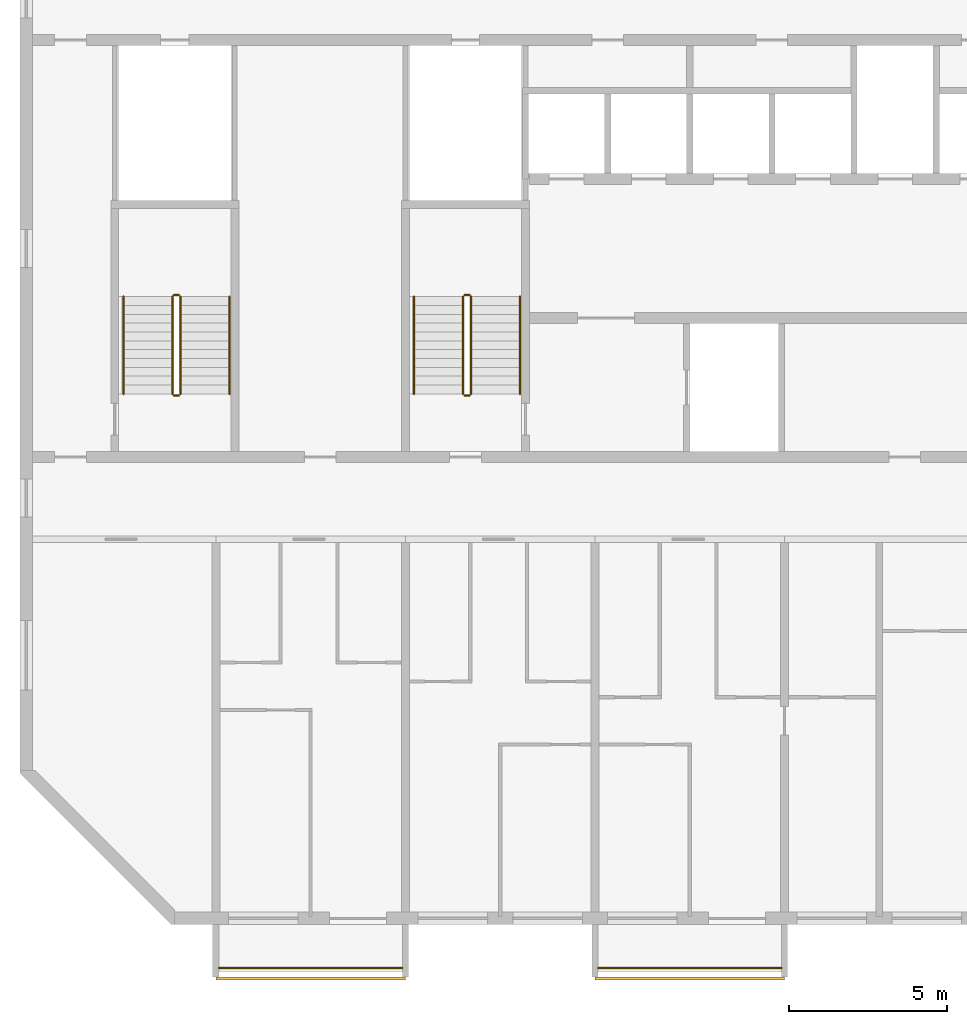
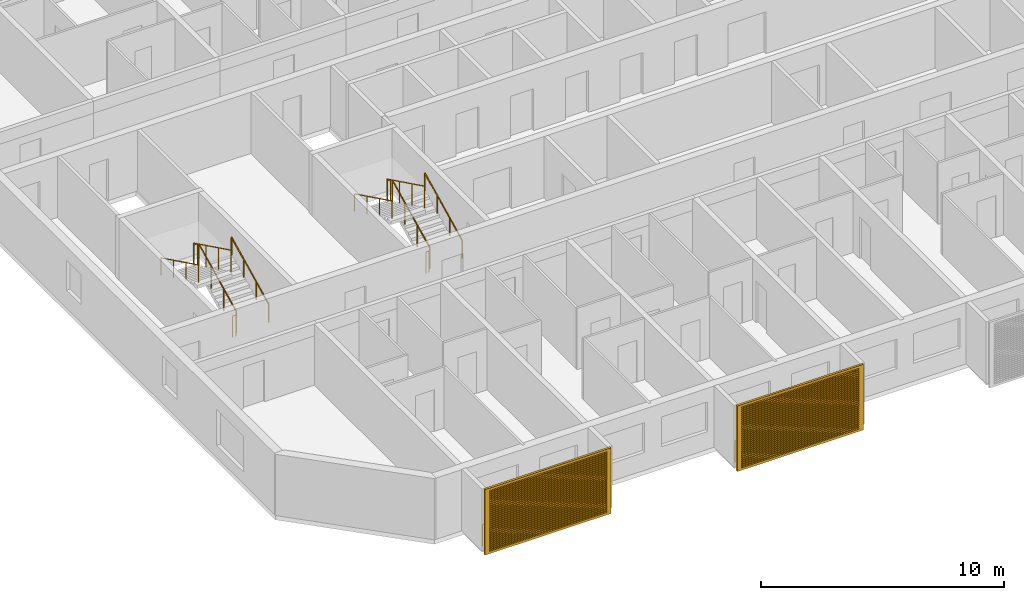
# One storey, part 12 of 26: 14 railings, 2 shading devices.
"""IFC4 building model written with IfcOpenShell, lengths in metres."""

from ifc_helpers import new_model, si_unit, direction, frame, origin, origin_2d, place, context, subcontext, project, spatial, polyline, circle, outline, extrude, source, transform, mapped, material, material_profile, profile_set, type_object, element, save


model = new_model("IFC4")

# Units and contexts
model_context = context("Model", 3, precision=1e-05, world=origin(), true_north=direction((0.0, 1.0)))
body_context = subcontext(model_context, "Body", "Model", "MODEL_VIEW")
ifc_project = project(units=[si_unit("LENGTHUNIT", "METRE"), si_unit("AREAUNIT", "SQUARE_METRE"), si_unit("VOLUMEUNIT", "CUBIC_METRE"), si_unit("PLANEANGLEUNIT", "RADIAN"), si_unit("MASSUNIT", "GRAM", prefix="KILO")], contexts=[model_context])

# Site, building, storey
site_placement = place(None, origin())
site = spatial("IfcSite", under=ifc_project, at=site_placement, CompositionType="ELEMENT")
building_placement = place(site_placement, origin())
building = spatial("IfcBuilding", under=site, at=building_placement, Name="Poui Terraces", CompositionType="ELEMENT")
storey_placement = place(building_placement, frame((0.0, 0.0, 221.39990234375)))
storey = spatial("IfcBuildingStorey", under=building, at=storey_placement, Name="L61", CompositionType="ELEMENT", Elevation=221.39990234375)

# Railings
ifc_material_1 = material(Name="Painted steel fretwork", Category="steel")
railing_type_1 = type_object("IfcRailingType", Name="BALCONY GUARD 1100", PredefinedType="GUARDRAIL", material=ifc_material_1)
for number, where, name in (
    (1, (24.10009765625, -1.570068359375, 0.0), "BALCONY GUARD"),
    (2, (36.10009765625, -1.570068359375, 0.0), "BALCONY GUARD"),
):
    element("IfcRailing", number, at=place(storey_placement, frame(where)), inside=storey, type_object=railing_type_1, Name=name, PredefinedType="GUARDRAIL", context=body_context, shape_type="SweptSolid", body=[
        extrude(circle(Radius=0.02392578125, at=origin_2d()), frame((0.0, 0.0, 1.076171875), z_axis=(1.0, 0.0, 0.0), x_axis=(0.0, 1.0, 0.0)), (0.0, 0.0, 1.0), 5.7998046875),
        extrude(circle(Radius=0.02099609375, at=origin_2d()), origin(), (0.0, 0.0, 1.0), 1.052001953125),
        extrude(circle(Radius=0.02099609375, at=origin_2d()), frame((0.966552734375, 0.0, 0.0)), (0.0, 0.0, 1.0), 1.052001953125),
        extrude(circle(Radius=0.02099609375, at=origin_2d()), frame((1.933349609375, 0.0, 0.0)), (0.0, 0.0, 1.0), 1.052001953125),
        extrude(circle(Radius=0.02099609375, at=origin_2d()), frame((2.89990234375, 0.0, 0.0)), (0.0, 0.0, 1.0), 1.052001953125),
        extrude(circle(Radius=0.02099609375, at=origin_2d()), frame((3.866455078125, 0.0, 0.0)), (0.0, 0.0, 1.0), 1.052001953125),
        extrude(circle(Radius=0.02099609375, at=origin_2d()), frame((4.833251953125, 0.0, 0.0)), (0.0, 0.0, 1.0), 1.052001953125),
        extrude(circle(Radius=0.02099609375, at=origin_2d()), frame((5.7998046875, 0.0, 0.0)), (0.0, 0.0, 1.0), 1.052001953125),
    ])
ifc_material_2 = material(Name="Galvanised steel balustrade", Category="steel")
railing_type_2 = type_object("IfcRailingType", Name="STAIR GUARD 1100", PredefinedType="GUARDRAIL", material=ifc_material_2)
railing_1_placement = place(storey_placement, frame((32.074951171875, 16.60009765625, 0.1376953125)))
element("IfcRailing", 3, at=railing_1_placement, inside=storey, type_object=railing_type_2, Name="L61 ST-CW stair guard 1", PredefinedType="GUARDRAIL", context=body_context, shape_type="SweptSolid", body=[
    extrude(circle(Radius=0.02392578125, at=origin_2d()), frame((0.0, 0.0, 1.076171875), z_axis=(0.0, 0.897606190399, 0.440798283751), x_axis=(-1.0, 0.0, 0.0)), (0.0, 0.0, 1.0), 3.43115234375),
    extrude(circle(Radius=0.02099609375, at=origin_2d()), origin(), (0.0, 0.0, 1.0), 1.052001953125),
    extrude(circle(Radius=0.02099609375, at=origin_2d()), frame((0.0, 1.026611328125, 0.504150390625)), (0.0, 0.0, 1.0), 1.052001953125),
    extrude(circle(Radius=0.02099609375, at=origin_2d()), frame((0.0, 2.05322265625, 1.00830078125)), (0.0, 0.0, 1.0), 1.052001953125),
    extrude(circle(Radius=0.02099609375, at=origin_2d()), frame((0.0, 3.079833984375, 1.512451171875)), (0.0, 0.0, 1.0), 1.052001953125),
])
railing_2_placement = place(storey_placement, frame((32.02490234375, 19.72998046875, 1.650146484375)))
element("IfcRailing", 4, at=railing_2_placement, inside=storey, type_object=railing_type_2, Name="L61 ST-CW stair guard 2", PredefinedType="GUARDRAIL", context=body_context, shape_type="SweptSolid", body=[
    extrude(circle(Radius=0.02392578125, at=origin_2d()), frame((0.0, 0.0, 1.076171875), z_axis=(-1.0, 0.0, 0.0), x_axis=(0.0, -1.0, 0.0)), (0.0, 0.0, 1.0), 0.14990234375),
    extrude(circle(Radius=0.02099609375, at=origin_2d()), origin(), (0.0, 0.0, 1.0), 1.052001953125),
    extrude(circle(Radius=0.02099609375, at=origin_2d()), frame((-0.14990234375, 0.0, 0.0)), (0.0, 0.0, 1.0), 1.052001953125),
])
railing_3_placement = place(storey_placement, frame((31.824951171875, 19.679931640625, 1.78759765625)))
element("IfcRailing", 5, at=railing_3_placement, inside=storey, type_object=railing_type_2, Name="L61 ST-CW stair guard 3", PredefinedType="GUARDRAIL", context=body_context, shape_type="SweptSolid", body=[
    extrude(circle(Radius=0.02392578125, at=origin_2d()), frame((0.0, 0.0, 1.076171875), z_axis=(0.0, -0.897606190399, 0.440798283751), x_axis=(1.0, 0.0, 0.0)), (0.0, 0.0, 1.0), 3.43115234375),
    extrude(circle(Radius=0.02099609375, at=origin_2d()), origin(), (0.0, 0.0, 1.0), 1.052001953125),
    extrude(circle(Radius=0.02099609375, at=origin_2d()), frame((0.0, -1.026611328125, 0.504150390625)), (0.0, 0.0, 1.0), 1.052001953125),
    extrude(circle(Radius=0.02099609375, at=origin_2d()), frame((0.0, -2.05322265625, 1.00830078125)), (0.0, 0.0, 1.0), 1.052001953125),
    extrude(circle(Radius=0.02099609375, at=origin_2d()), frame((0.0, -3.079833984375, 1.512451171875)), (0.0, 0.0, 1.0), 1.052001953125),
])
railing_4_placement = place(storey_placement, frame((32.02490234375, 16.550048828125, 0.0)))
element("IfcRailing", 6, at=railing_4_placement, inside=storey, type_object=railing_type_2, Name="L61 ST-CW stair guard 4", PredefinedType="GUARDRAIL", context=body_context, shape_type="SweptSolid", body=[
    extrude(circle(Radius=0.02392578125, at=origin_2d()), frame((0.0, 0.0, 1.076171875), z_axis=(-1.0, 0.0, 0.0), x_axis=(0.0, -1.0, 0.0)), (0.0, 0.0, 1.0), 0.14990234375),
    extrude(circle(Radius=0.02099609375, at=origin_2d()), origin(), (0.0, 0.0, 1.0), 1.052001953125),
    extrude(circle(Radius=0.02099609375, at=origin_2d()), frame((-0.14990234375, 0.0, 0.0)), (0.0, 0.0, 1.0), 1.052001953125),
])
railing_5_placement = place(storey_placement, frame((22.875, 16.60009765625, 0.1376953125)))
element("IfcRailing", 7, at=railing_5_placement, inside=storey, type_object=railing_type_2, Name="L61 ST-W stair guard 1", PredefinedType="GUARDRAIL", context=body_context, shape_type="SweptSolid", body=[
    extrude(circle(Radius=0.02392578125, at=origin_2d()), frame((0.0, 0.0, 1.076171875), z_axis=(0.0, 0.897606190399, 0.440798283751), x_axis=(-1.0, 0.0, 0.0)), (0.0, 0.0, 1.0), 3.43115234375),
    extrude(circle(Radius=0.02099609375, at=origin_2d()), origin(), (0.0, 0.0, 1.0), 1.052001953125),
    extrude(circle(Radius=0.02099609375, at=origin_2d()), frame((0.0, 1.026611328125, 0.504150390625)), (0.0, 0.0, 1.0), 1.052001953125),
    extrude(circle(Radius=0.02099609375, at=origin_2d()), frame((0.0, 2.05322265625, 1.00830078125)), (0.0, 0.0, 1.0), 1.052001953125),
    extrude(circle(Radius=0.02099609375, at=origin_2d()), frame((0.0, 3.079833984375, 1.512451171875)), (0.0, 0.0, 1.0), 1.052001953125),
])
railing_6_placement = place(storey_placement, frame((22.824951171875, 19.72998046875, 1.650146484375)))
element("IfcRailing", 8, at=railing_6_placement, inside=storey, type_object=railing_type_2, Name="L61 ST-W stair guard 2", PredefinedType="GUARDRAIL", context=body_context, shape_type="SweptSolid", body=[
    extrude(circle(Radius=0.02392578125, at=origin_2d()), frame((0.0, 0.0, 1.076171875), z_axis=(-1.0, 0.0, 0.0), x_axis=(0.0, -1.0, 0.0)), (0.0, 0.0, 1.0), 0.14990234375),
    extrude(circle(Radius=0.02099609375, at=origin_2d()), origin(), (0.0, 0.0, 1.0), 1.052001953125),
    extrude(circle(Radius=0.02099609375, at=origin_2d()), frame((-0.14990234375, 0.0, 0.0)), (0.0, 0.0, 1.0), 1.052001953125),
])
railing_7_placement = place(storey_placement, frame((22.625, 19.679931640625, 1.78759765625)))
element("IfcRailing", 9, at=railing_7_placement, inside=storey, type_object=railing_type_2, Name="L61 ST-W stair guard 3", PredefinedType="GUARDRAIL", context=body_context, shape_type="SweptSolid", body=[
    extrude(circle(Radius=0.02392578125, at=origin_2d()), frame((0.0, 0.0, 1.076171875), z_axis=(0.0, -0.897606190399, 0.440798283751), x_axis=(1.0, 0.0, 0.0)), (0.0, 0.0, 1.0), 3.43115234375),
    extrude(circle(Radius=0.02099609375, at=origin_2d()), origin(), (0.0, 0.0, 1.0), 1.052001953125),
    extrude(circle(Radius=0.02099609375, at=origin_2d()), frame((0.0, -1.026611328125, 0.504150390625)), (0.0, 0.0, 1.0), 1.052001953125),
    extrude(circle(Radius=0.02099609375, at=origin_2d()), frame((0.0, -2.05322265625, 1.00830078125)), (0.0, 0.0, 1.0), 1.052001953125),
    extrude(circle(Radius=0.02099609375, at=origin_2d()), frame((0.0, -3.079833984375, 1.512451171875)), (0.0, 0.0, 1.0), 1.052001953125),
])
railing_8_placement = place(storey_placement, frame((22.824951171875, 16.550048828125, 0.0)))
element("IfcRailing", 10, at=railing_8_placement, inside=storey, type_object=railing_type_2, Name="L61 ST-W stair guard 4", PredefinedType="GUARDRAIL", context=body_context, shape_type="SweptSolid", body=[
    extrude(circle(Radius=0.02392578125, at=origin_2d()), frame((0.0, 0.0, 1.076171875), z_axis=(-1.0, 0.0, 0.0), x_axis=(0.0, -1.0, 0.0)), (0.0, 0.0, 1.0), 0.14990234375),
    extrude(circle(Radius=0.02099609375, at=origin_2d()), origin(), (0.0, 0.0, 1.0), 1.052001953125),
    extrude(circle(Radius=0.02099609375, at=origin_2d()), frame((-0.14990234375, 0.0, 0.0)), (0.0, 0.0, 1.0), 1.052001953125),
])
ifc_material_3 = material(Name="Stainless steel handrail", Category="steel")
railing_type_3 = type_object("IfcRailingType", Name="STAIR HANDRAIL 900", PredefinedType="HANDRAIL", material=ifc_material_3)
railing_9_placement = place(storey_placement, frame((33.625, 16.60009765625, 0.1376953125)))
element("IfcRailing", 11, at=railing_9_placement, inside=storey, type_object=railing_type_3, Name="L61 ST-CW stair handrail 1", PredefinedType="HANDRAIL", context=body_context, shape_type="SweptSolid", body=[
    extrude(circle(Radius=0.02392578125, at=origin_2d()), frame((0.0, 0.0, 0.8759765625), z_axis=(0.0, 0.897606190399, 0.440798283751), x_axis=(-1.0, 0.0, 0.0)), (0.0, 0.0, 1.0), 3.43115234375),
    extrude(circle(Radius=0.02099609375, at=origin_2d()), origin(), (0.0, 0.0, 1.0), 0.851806640625),
    extrude(circle(Radius=0.02099609375, at=origin_2d()), frame((0.0, 1.026611328125, 0.504150390625)), (0.0, 0.0, 1.0), 0.851806640625),
    extrude(circle(Radius=0.02099609375, at=origin_2d()), frame((0.0, 2.05322265625, 1.00830078125)), (0.0, 0.0, 1.0), 0.851806640625),
    extrude(circle(Radius=0.02099609375, at=origin_2d()), frame((0.0, 3.079833984375, 1.512451171875)), (0.0, 0.0, 1.0), 0.851806640625),
])
railing_10_placement = place(storey_placement, frame((30.27490234375, 19.679931640625, 1.78759765625)))
element("IfcRailing", 12, at=railing_10_placement, inside=storey, type_object=railing_type_3, Name="L61 ST-CW stair handrail 2", PredefinedType="HANDRAIL", context=body_context, shape_type="SweptSolid", body=[
    extrude(circle(Radius=0.02392578125, at=origin_2d()), frame((0.0, 0.0, 0.8759765625), z_axis=(0.0, -0.897606190399, 0.440798283751), x_axis=(1.0, 0.0, 0.0)), (0.0, 0.0, 1.0), 3.43115234375),
    extrude(circle(Radius=0.02099609375, at=origin_2d()), origin(), (0.0, 0.0, 1.0), 0.851806640625),
    extrude(circle(Radius=0.02099609375, at=origin_2d()), frame((0.0, -1.026611328125, 0.504150390625)), (0.0, 0.0, 1.0), 0.851806640625),
    extrude(circle(Radius=0.02099609375, at=origin_2d()), frame((0.0, -2.05322265625, 1.00830078125)), (0.0, 0.0, 1.0), 0.851806640625),
    extrude(circle(Radius=0.02099609375, at=origin_2d()), frame((0.0, -3.079833984375, 1.512451171875)), (0.0, 0.0, 1.0), 0.851806640625),
])
railing_11_placement = place(storey_placement, frame((24.425048828125, 16.60009765625, 0.1376953125)))
element("IfcRailing", 13, at=railing_11_placement, inside=storey, type_object=railing_type_3, Name="L61 ST-W stair handrail 1", PredefinedType="HANDRAIL", context=body_context, shape_type="SweptSolid", body=[
    extrude(circle(Radius=0.02392578125, at=origin_2d()), frame((0.0, 0.0, 0.8759765625), z_axis=(0.0, 0.897606190399, 0.440798283751), x_axis=(-1.0, 0.0, 0.0)), (0.0, 0.0, 1.0), 3.43115234375),
    extrude(circle(Radius=0.02099609375, at=origin_2d()), origin(), (0.0, 0.0, 1.0), 0.851806640625),
    extrude(circle(Radius=0.02099609375, at=origin_2d()), frame((0.0, 1.026611328125, 0.504150390625)), (0.0, 0.0, 1.0), 0.851806640625),
    extrude(circle(Radius=0.02099609375, at=origin_2d()), frame((0.0, 2.05322265625, 1.00830078125)), (0.0, 0.0, 1.0), 0.851806640625),
    extrude(circle(Radius=0.02099609375, at=origin_2d()), frame((0.0, 3.079833984375, 1.512451171875)), (0.0, 0.0, 1.0), 0.851806640625),
])
railing_12_placement = place(storey_placement, frame((21.074951171875, 19.679931640625, 1.78759765625)))
element("IfcRailing", 14, at=railing_12_placement, inside=storey, type_object=railing_type_3, Name="L61 ST-W stair handrail 2", PredefinedType="HANDRAIL", context=body_context, shape_type="SweptSolid", body=[
    extrude(circle(Radius=0.02392578125, at=origin_2d()), frame((0.0, 0.0, 0.8759765625), z_axis=(0.0, -0.897606190399, 0.440798283751), x_axis=(1.0, 0.0, 0.0)), (0.0, 0.0, 1.0), 3.43115234375),
    extrude(circle(Radius=0.02099609375, at=origin_2d()), origin(), (0.0, 0.0, 1.0), 0.851806640625),
    extrude(circle(Radius=0.02099609375, at=origin_2d()), frame((0.0, -1.026611328125, 0.504150390625)), (0.0, 0.0, 1.0), 0.851806640625),
    extrude(circle(Radius=0.02099609375, at=origin_2d()), frame((0.0, -2.05322265625, 1.00830078125)), (0.0, 0.0, 1.0), 0.851806640625),
    extrude(circle(Radius=0.02099609375, at=origin_2d()), frame((0.0, -3.079833984375, 1.512451171875)), (0.0, 0.0, 1.0), 0.851806640625),
])

# Shading devices
ifc_material_4 = material(Name="Aluminium louvre", Category="aluminium")
ifc_material_profile = material_profile(ifc_material_4, outline(polyline([(-3.0, -1.64990234375), (3.0, -1.64990234375), (3.0, 1.64990234375), (-3.0, 1.64990234375), (-3.0, -1.64990234375)]), holes=[polyline([(-2.800048828125, -1.530029296875), (2.800048828125, -1.530029296875), (2.800048828125, -1.469970703125), (-2.800048828125, -1.469970703125), (-2.800048828125, -1.530029296875)]), polyline([(-2.800048828125, -1.429931640625), (2.800048828125, -1.429931640625), (2.800048828125, -1.3701171875), (-2.800048828125, -1.3701171875), (-2.800048828125, -1.429931640625)]), polyline([(-2.800048828125, -1.330078125), (2.800048828125, -1.330078125), (2.800048828125, -1.27001953125), (-2.800048828125, -1.27001953125), (-2.800048828125, -1.330078125)]), polyline([(-2.800048828125, -1.22998046875), (2.800048828125, -1.22998046875), (2.800048828125, -1.169921875), (-2.800048828125, -1.169921875), (-2.800048828125, -1.22998046875)]), polyline([(-2.800048828125, -1.1298828125), (2.800048828125, -1.1298828125), (2.800048828125, -1.070068359375), (-2.800048828125, -1.070068359375), (-2.800048828125, -1.1298828125)]), polyline([(-2.800048828125, -1.030029296875), (2.800048828125, -1.030029296875), (2.800048828125, -0.969970703125), (-2.800048828125, -0.969970703125), (-2.800048828125, -1.030029296875)]), polyline([(-2.800048828125, -0.929931640625), (2.800048828125, -0.929931640625), (2.800048828125, -0.8701171875), (-2.800048828125, -0.8701171875), (-2.800048828125, -0.929931640625)]), polyline([(-2.800048828125, -0.830078125), (2.800048828125, -0.830078125), (2.800048828125, -0.77001953125), (-2.800048828125, -0.77001953125), (-2.800048828125, -0.830078125)]), polyline([(-2.800048828125, -0.72998046875), (2.800048828125, -0.72998046875), (2.800048828125, -0.669921875), (-2.800048828125, -0.669921875), (-2.800048828125, -0.72998046875)]), polyline([(-2.800048828125, -0.6298828125), (2.800048828125, -0.6298828125), (2.800048828125, -0.570068359375), (-2.800048828125, -0.570068359375), (-2.800048828125, -0.6298828125)]), polyline([(-2.800048828125, -0.530029296875), (2.800048828125, -0.530029296875), (2.800048828125, -0.469970703125), (-2.800048828125, -0.469970703125), (-2.800048828125, -0.530029296875)]), polyline([(-2.800048828125, -0.429931640625), (2.800048828125, -0.429931640625), (2.800048828125, -0.3701171875), (-2.800048828125, -0.3701171875), (-2.800048828125, -0.429931640625)]), polyline([(-2.800048828125, -0.330078125), (2.800048828125, -0.330078125), (2.800048828125, -0.27001953125), (-2.800048828125, -0.27001953125), (-2.800048828125, -0.330078125)]), polyline([(-2.800048828125, -0.22998046875), (2.800048828125, -0.22998046875), (2.800048828125, -0.169921875), (-2.800048828125, -0.169921875), (-2.800048828125, -0.22998046875)]), polyline([(-2.800048828125, -0.1298828125), (2.800048828125, -0.1298828125), (2.800048828125, -0.070068359375), (-2.800048828125, -0.070068359375), (-2.800048828125, -0.1298828125)]), polyline([(-2.800048828125, -0.030029296875), (2.800048828125, -0.030029296875), (2.800048828125, 0.030029296875), (-2.800048828125, 0.030029296875), (-2.800048828125, -0.030029296875)]), polyline([(-2.800048828125, 0.070068359375), (2.800048828125, 0.070068359375), (2.800048828125, 0.1298828125), (-2.800048828125, 0.1298828125), (-2.800048828125, 0.070068359375)]), polyline([(-2.800048828125, 0.169921875), (2.800048828125, 0.169921875), (2.800048828125, 0.22998046875), (-2.800048828125, 0.22998046875), (-2.800048828125, 0.169921875)]), polyline([(-2.800048828125, 0.27001953125), (2.800048828125, 0.27001953125), (2.800048828125, 0.330078125), (-2.800048828125, 0.330078125), (-2.800048828125, 0.27001953125)]), polyline([(-2.800048828125, 0.3701171875), (2.800048828125, 0.3701171875), (2.800048828125, 0.429931640625), (-2.800048828125, 0.429931640625), (-2.800048828125, 0.3701171875)]), polyline([(-2.800048828125, 0.469970703125), (2.800048828125, 0.469970703125), (2.800048828125, 0.530029296875), (-2.800048828125, 0.530029296875), (-2.800048828125, 0.469970703125)]), polyline([(-2.800048828125, 0.570068359375), (2.800048828125, 0.570068359375), (2.800048828125, 0.6298828125), (-2.800048828125, 0.6298828125), (-2.800048828125, 0.570068359375)]), polyline([(-2.800048828125, 0.669921875), (2.800048828125, 0.669921875), (2.800048828125, 0.72998046875), (-2.800048828125, 0.72998046875), (-2.800048828125, 0.669921875)]), polyline([(-2.800048828125, 0.77001953125), (2.800048828125, 0.77001953125), (2.800048828125, 0.830078125), (-2.800048828125, 0.830078125), (-2.800048828125, 0.77001953125)]), polyline([(-2.800048828125, 0.8701171875), (2.800048828125, 0.8701171875), (2.800048828125, 0.929931640625), (-2.800048828125, 0.929931640625), (-2.800048828125, 0.8701171875)]), polyline([(-2.800048828125, 0.969970703125), (2.800048828125, 0.969970703125), (2.800048828125, 1.030029296875), (-2.800048828125, 1.030029296875), (-2.800048828125, 0.969970703125)]), polyline([(-2.800048828125, 1.070068359375), (2.800048828125, 1.070068359375), (2.800048828125, 1.1298828125), (-2.800048828125, 1.1298828125), (-2.800048828125, 1.070068359375)]), polyline([(-2.800048828125, 1.169921875), (2.800048828125, 1.169921875), (2.800048828125, 1.22998046875), (-2.800048828125, 1.22998046875), (-2.800048828125, 1.169921875)]), polyline([(-2.800048828125, 1.27001953125), (2.800048828125, 1.27001953125), (2.800048828125, 1.330078125), (-2.800048828125, 1.330078125), (-2.800048828125, 1.27001953125)]), polyline([(-2.800048828125, 1.3701171875), (2.800048828125, 1.3701171875), (2.800048828125, 1.429931640625), (-2.800048828125, 1.429931640625), (-2.800048828125, 1.3701171875)]), polyline([(-2.800048828125, 1.469970703125), (2.800048828125, 1.469970703125), (2.800048828125, 1.530029296875), (-2.800048828125, 1.530029296875), (-2.800048828125, 1.469970703125)])]), Name="JALOUSIE LOUVRE SHUTTER 6000X3300")
ifc_profile_set = profile_set([ifc_material_profile], Name="Aluminium louvre")
shading_device_type = type_object("IfcShadingDeviceType", Name="JALOUSIE LOUVRE SHUTTER 6000X3300", PredefinedType="JALOUSIE", material=ifc_profile_set)
shared_shape = source(origin(), body_context, "Body", "SweptSolid", [
    extrude(outline(polyline([(-3.0, -1.64990234375), (3.0, -1.64990234375), (3.0, 1.64990234375), (-3.0, 1.64990234375), (-3.0, -1.64990234375)]), holes=[polyline([(-2.800048828125, -1.530029296875), (2.800048828125, -1.530029296875), (2.800048828125, -1.469970703125), (-2.800048828125, -1.469970703125), (-2.800048828125, -1.530029296875)]), polyline([(-2.800048828125, -1.429931640625), (2.800048828125, -1.429931640625), (2.800048828125, -1.3701171875), (-2.800048828125, -1.3701171875), (-2.800048828125, -1.429931640625)]), polyline([(-2.800048828125, -1.330078125), (2.800048828125, -1.330078125), (2.800048828125, -1.27001953125), (-2.800048828125, -1.27001953125), (-2.800048828125, -1.330078125)]), polyline([(-2.800048828125, -1.22998046875), (2.800048828125, -1.22998046875), (2.800048828125, -1.169921875), (-2.800048828125, -1.169921875), (-2.800048828125, -1.22998046875)]), polyline([(-2.800048828125, -1.1298828125), (2.800048828125, -1.1298828125), (2.800048828125, -1.070068359375), (-2.800048828125, -1.070068359375), (-2.800048828125, -1.1298828125)]), polyline([(-2.800048828125, -1.030029296875), (2.800048828125, -1.030029296875), (2.800048828125, -0.969970703125), (-2.800048828125, -0.969970703125), (-2.800048828125, -1.030029296875)]), polyline([(-2.800048828125, -0.929931640625), (2.800048828125, -0.929931640625), (2.800048828125, -0.8701171875), (-2.800048828125, -0.8701171875), (-2.800048828125, -0.929931640625)]), polyline([(-2.800048828125, -0.830078125), (2.800048828125, -0.830078125), (2.800048828125, -0.77001953125), (-2.800048828125, -0.77001953125), (-2.800048828125, -0.830078125)]), polyline([(-2.800048828125, -0.72998046875), (2.800048828125, -0.72998046875), (2.800048828125, -0.669921875), (-2.800048828125, -0.669921875), (-2.800048828125, -0.72998046875)]), polyline([(-2.800048828125, -0.6298828125), (2.800048828125, -0.6298828125), (2.800048828125, -0.570068359375), (-2.800048828125, -0.570068359375), (-2.800048828125, -0.6298828125)]), polyline([(-2.800048828125, -0.530029296875), (2.800048828125, -0.530029296875), (2.800048828125, -0.469970703125), (-2.800048828125, -0.469970703125), (-2.800048828125, -0.530029296875)]), polyline([(-2.800048828125, -0.429931640625), (2.800048828125, -0.429931640625), (2.800048828125, -0.3701171875), (-2.800048828125, -0.3701171875), (-2.800048828125, -0.429931640625)]), polyline([(-2.800048828125, -0.330078125), (2.800048828125, -0.330078125), (2.800048828125, -0.27001953125), (-2.800048828125, -0.27001953125), (-2.800048828125, -0.330078125)]), polyline([(-2.800048828125, -0.22998046875), (2.800048828125, -0.22998046875), (2.800048828125, -0.169921875), (-2.800048828125, -0.169921875), (-2.800048828125, -0.22998046875)]), polyline([(-2.800048828125, -0.1298828125), (2.800048828125, -0.1298828125), (2.800048828125, -0.070068359375), (-2.800048828125, -0.070068359375), (-2.800048828125, -0.1298828125)]), polyline([(-2.800048828125, -0.030029296875), (2.800048828125, -0.030029296875), (2.800048828125, 0.030029296875), (-2.800048828125, 0.030029296875), (-2.800048828125, -0.030029296875)]), polyline([(-2.800048828125, 0.070068359375), (2.800048828125, 0.070068359375), (2.800048828125, 0.1298828125), (-2.800048828125, 0.1298828125), (-2.800048828125, 0.070068359375)]), polyline([(-2.800048828125, 0.169921875), (2.800048828125, 0.169921875), (2.800048828125, 0.22998046875), (-2.800048828125, 0.22998046875), (-2.800048828125, 0.169921875)]), polyline([(-2.800048828125, 0.27001953125), (2.800048828125, 0.27001953125), (2.800048828125, 0.330078125), (-2.800048828125, 0.330078125), (-2.800048828125, 0.27001953125)]), polyline([(-2.800048828125, 0.3701171875), (2.800048828125, 0.3701171875), (2.800048828125, 0.429931640625), (-2.800048828125, 0.429931640625), (-2.800048828125, 0.3701171875)]), polyline([(-2.800048828125, 0.469970703125), (2.800048828125, 0.469970703125), (2.800048828125, 0.530029296875), (-2.800048828125, 0.530029296875), (-2.800048828125, 0.469970703125)]), polyline([(-2.800048828125, 0.570068359375), (2.800048828125, 0.570068359375), (2.800048828125, 0.6298828125), (-2.800048828125, 0.6298828125), (-2.800048828125, 0.570068359375)]), polyline([(-2.800048828125, 0.669921875), (2.800048828125, 0.669921875), (2.800048828125, 0.72998046875), (-2.800048828125, 0.72998046875), (-2.800048828125, 0.669921875)]), polyline([(-2.800048828125, 0.77001953125), (2.800048828125, 0.77001953125), (2.800048828125, 0.830078125), (-2.800048828125, 0.830078125), (-2.800048828125, 0.77001953125)]), polyline([(-2.800048828125, 0.8701171875), (2.800048828125, 0.8701171875), (2.800048828125, 0.929931640625), (-2.800048828125, 0.929931640625), (-2.800048828125, 0.8701171875)]), polyline([(-2.800048828125, 0.969970703125), (2.800048828125, 0.969970703125), (2.800048828125, 1.030029296875), (-2.800048828125, 1.030029296875), (-2.800048828125, 0.969970703125)]), polyline([(-2.800048828125, 1.070068359375), (2.800048828125, 1.070068359375), (2.800048828125, 1.1298828125), (-2.800048828125, 1.1298828125), (-2.800048828125, 1.070068359375)]), polyline([(-2.800048828125, 1.169921875), (2.800048828125, 1.169921875), (2.800048828125, 1.22998046875), (-2.800048828125, 1.22998046875), (-2.800048828125, 1.169921875)]), polyline([(-2.800048828125, 1.27001953125), (2.800048828125, 1.27001953125), (2.800048828125, 1.330078125), (-2.800048828125, 1.330078125), (-2.800048828125, 1.27001953125)]), polyline([(-2.800048828125, 1.3701171875), (2.800048828125, 1.3701171875), (2.800048828125, 1.429931640625), (-2.800048828125, 1.429931640625), (-2.800048828125, 1.3701171875)]), polyline([(-2.800048828125, 1.469970703125), (2.800048828125, 1.469970703125), (2.800048828125, 1.530029296875), (-2.800048828125, 1.530029296875), (-2.800048828125, 1.469970703125)])]), origin(), (0.0, 0.0, 1.0), 0.099853515625),
])
for number, where, z_axis, x_axis, name in (
    (15, (27.0, -1.85009765625, 1.4501953125), (0.0, -1.0, 0.0), (1.0, 0.0, 0.0), "JALOUSIE LOUVRE SHUTTER"),
    (16, (39.0, -1.85009765625, 1.4501953125), (0.0, -1.0, 0.0), (1.0, 0.0, 0.0), "JALOUSIE LOUVRE SHUTTER"),
):
    element("IfcShadingDevice", number, at=place(storey_placement, frame(where, z_axis=z_axis, x_axis=x_axis)), inside=storey, type_object=shading_device_type, Name=name, PredefinedType="JALOUSIE", context=body_context, shape_type="MappedRepresentation", body=[
        mapped(shared_shape, transform((0.0, 0.0, 0.0))),
    ])

save(model, "model.ifc")
